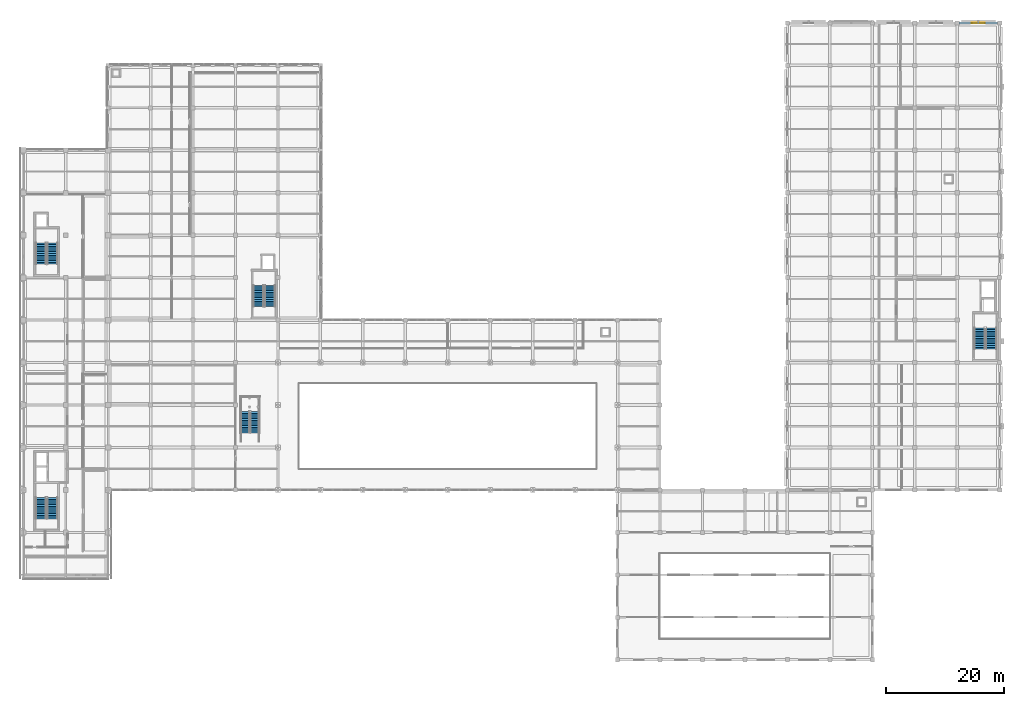
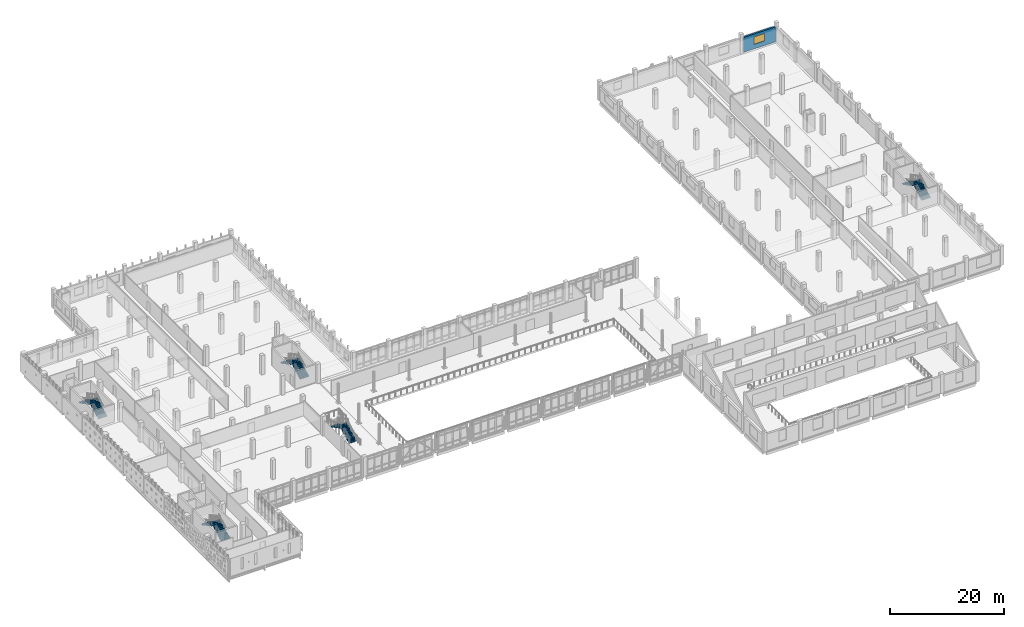
# One storey, part 48 of 62: 10 stair flights, 1 wall, 1 window, 1 opening, 5 elements without a shape of their own.
"""IFC4 building model written with IfcOpenShell, lengths in metres."""

from ifc_helpers import new_model, si_unit, direction, frame, frame_2d, origin, place, context, subcontext, project, spatial, polyline, rectangle, outline, extrude, material, layer, layer_set, type_object, element, fill, aggregate, save


model = new_model("IFC4")

# Units and contexts
model_context = context("Model", 3, precision=1e-05, world=origin(), true_north=direction((0.0, 1.0)))
body_context = subcontext(model_context, "Body", "Model", "MODEL_VIEW")
ifc_project = project(units=[si_unit("LENGTHUNIT", "METRE"), si_unit("AREAUNIT", "SQUARE_METRE"), si_unit("VOLUMEUNIT", "CUBIC_METRE"), si_unit("PLANEANGLEUNIT", "RADIAN"), si_unit("MASSUNIT", "GRAM", prefix="KILO")], contexts=[model_context])

# Site, building, storey
site_placement = place(None, origin())
site = spatial("IfcSite", under=ifc_project, at=site_placement, CompositionType="ELEMENT")
building_placement = place(site_placement, origin())
building = spatial("IfcBuilding", under=site, at=building_placement, Name="Valkovuoma Quantum and Materials Research Institute", CompositionType="ELEMENT")
storey_placement = place(building_placement, frame((0.0, 0.0, 8.9599609375)))
storey = spatial("IfcBuildingStorey", under=building, at=storey_placement, Name="L02", CompositionType="ELEMENT", Elevation=8.9599609375)

# Wall, opening, window
ifc_material_1 = material(Name="Precast concrete C40/50", Category="concrete")
ifc_layer = layer(ifc_material_1, 0.340087890625)
ifc_layer_set = layer_set([ifc_layer], Name="Precast concrete C40/50")
wall_type = type_object("IfcWallType", Name="Wall-W-EXT340", PredefinedType="SOLIDWALL", material=ifc_layer_set)
wall_placement = place(storey_placement, frame((158.739990234375, 115.199951171875, 0.0), z_axis=(0.0, 0.0, 1.0), x_axis=(1.0, 0.0, 0.0)))
wall = element("IfcWall", 1, at=wall_placement, inside=storey, type_object=wall_type, Name="L02 exterior wall 0252", PredefinedType="SOLIDWALL", context=body_context, shape_type="SweptSolid", body=[
    extrude(rectangle(XDim=6.52001953125, YDim=0.340087890625, at=frame_2d((3.260009765625, 0.0))), origin(), (0.0, 0.0, 1.0), 3.2099609375),
])
opening_placement = place(wall_placement, frame((2.159912109375, 0.0, 0.949951171875)))
opening = element("IfcOpeningElement", 2, at=opening_placement, cuts=wall, Name="Opening WN-EX13", PredefinedType="OPENING", context=body_context, shape_type="SweptSolid", body=[
    extrude(rectangle(XDim=2.199951171875, YDim=1.60009765625, at=frame_2d((1.10009765625, 0.800048828125))), frame((0.0, 0.18017578125, 0.0), z_axis=(0.0, -1.0, 0.0), x_axis=(1.0, 0.0, 0.0)), (0.0, 0.0, 1.0), 0.360107421875),
])
ifc_material_2 = material(Name="Triple low-E argon glazing in thermally broken aluminium frame", Category="aluminium")
window_type = type_object("IfcWindowType", Name="Win-WN-EX13", PartitioningType="SINGLE_PANEL", PredefinedType="WINDOW", material=ifc_material_2)
window_placement = place(opening_placement, origin())
window = element("IfcWindow", 3, at=window_placement, inside=storey, type_object=window_type, Name="L02 window 0268", OverallHeight=1.60009765625, OverallWidth=2.199951171875, PartitioningType="SINGLE_PANEL", PredefinedType="WINDOW", context=body_context, shape_type="SweptSolid", body=[
    extrude(rectangle(XDim=2.199951171875, YDim=1.60009765625, at=frame_2d((1.10009765625, 0.800048828125))), frame((0.0, 0.030029296875, 0.0), z_axis=(0.0, -1.0, 0.0), x_axis=(1.0, 0.0, 0.0)), (0.0, 0.0, 1.0), 0.06005859375),
])
fill(opening, window)

# Stair, stair flights
ifc_material_3 = material(Name="Concrete C40/50", Category="concrete")
stair_type_1 = type_object("IfcStairType", Name="Stair-ST-COR", PredefinedType="HALF_TURN_STAIR", material=ifc_material_3)
stair_1_placement = place(storey_placement, origin())
stair_1 = element("IfcStair", 4, at=stair_1_placement, inside=storey, type_object=stair_type_1, Name="L02 Exit Stair ST-1", PredefinedType="HALF_TURN_STAIR")
ifc_material_4 = material(Name="Concrete C40/50", Category="concrete")
stair_flight_type_1 = type_object("IfcStairFlightType", Name="Flight-STF-145", PredefinedType="STRAIGHT", material=ifc_material_4)
stair_flight_1_placement = place(storey_placement, frame((4.949951171875, 31.10009765625, 0.0), z_axis=(0.0, 0.0, 1.0), x_axis=(0.0, 1.0, 0.0)))
stair_flight_1 = element("IfcStairFlight", 5, at=stair_flight_1_placement, type_object=stair_flight_type_1, Name="ST-1 flight 1", NumberOfRisers=13, NumberOfTreads=12, PredefinedType="STRAIGHT", RiserHeight=0.16, TreadLength=0.3, context=body_context, shape_type="SweptSolid", body=[
    extrude(outline(polyline([(0.0, 0.0), (0.0, 0.159912109375), (0.300048828125, 0.159912109375), (0.300048828125, 0.320068359375), (0.60009765625, 0.320068359375), (0.60009765625, 0.47998046875), (0.89990234375, 0.47998046875), (0.89990234375, 0.639892578125), (1.199951171875, 0.639892578125), (1.199951171875, 0.800048828125), (1.5, 0.800048828125), (1.5, 0.9599609375), (1.800048828125, 0.9599609375), (1.800048828125, 1.1201171875), (2.10009765625, 1.1201171875), (2.10009765625, 1.280029296875), (2.39990234375, 1.280029296875), (2.39990234375, 1.43994140625), (2.699951171875, 1.43994140625), (2.699951171875, 1.60009765625), (3.0, 1.60009765625), (3.0, 1.760009765625), (3.300048828125, 1.760009765625), (3.300048828125, 1.919921875), (3.60009765625, 1.919921875), (3.60009765625, 2.080078125), (3.60009765625, 1.75), (0.318603515625, 0.0), (0.0, 0.0)])), frame((0.0, 0.89990234375, 0.0), z_axis=(0.0, -1.0, 0.0), x_axis=(1.0, 0.0, 0.0)), (0.0, 0.0, 1.0), 1.800048828125),
])
stair_flight_2_placement = place(storey_placement, frame((3.0, 34.699951171875, 2.080078125), z_axis=(0.0, 0.0, 1.0), x_axis=(0.0, -1.0, 0.0)))
stair_flight_2 = element("IfcStairFlight", 6, at=stair_flight_2_placement, type_object=stair_flight_type_1, Name="ST-1 flight 2", NumberOfRisers=13, NumberOfTreads=12, PredefinedType="STRAIGHT", RiserHeight=0.16, TreadLength=0.3, context=body_context, shape_type="SweptSolid", body=[
    extrude(outline(polyline([(0.0, 0.0), (0.0, 0.159912109375), (0.300048828125, 0.159912109375), (0.300048828125, 0.320068359375), (0.60009765625, 0.320068359375), (0.60009765625, 0.47998046875), (0.89990234375, 0.47998046875), (0.89990234375, 0.639892578125), (1.199951171875, 0.639892578125), (1.199951171875, 0.800048828125), (1.5, 0.800048828125), (1.5, 0.9599609375), (1.800048828125, 0.9599609375), (1.800048828125, 1.1201171875), (2.10009765625, 1.1201171875), (2.10009765625, 1.280029296875), (2.39990234375, 1.280029296875), (2.39990234375, 1.43994140625), (2.699951171875, 1.43994140625), (2.699951171875, 1.60009765625), (3.0, 1.60009765625), (3.0, 1.760009765625), (3.300048828125, 1.760009765625), (3.300048828125, 1.919921875), (3.60009765625, 1.919921875), (3.60009765625, 2.080078125), (3.60009765625, 1.75), (0.318603515625, 0.0), (0.0, 0.0)])), frame((0.0, 0.89990234375, 0.0), z_axis=(0.0, -1.0, 0.0), x_axis=(1.0, 0.0, 0.0)), (0.0, 0.0, 1.0), 1.800048828125),
])
aggregate(stair_1, [stair_flight_1, stair_flight_2])

stair_2_placement = place(storey_placement, origin())
stair_2 = element("IfcStair", 7, at=stair_2_placement, inside=storey, type_object=stair_type_1, Name="L02 Exit Stair ST-2", PredefinedType="HALF_TURN_STAIR")
stair_flight_3_placement = place(storey_placement, frame((4.949951171875, 74.300048828125, 0.0), z_axis=(0.0, 0.0, 1.0), x_axis=(0.0, 1.0, 0.0)))
stair_flight_3 = element("IfcStairFlight", 8, at=stair_flight_3_placement, type_object=stair_flight_type_1, Name="ST-2 flight 1", NumberOfRisers=13, NumberOfTreads=12, PredefinedType="STRAIGHT", RiserHeight=0.16, TreadLength=0.3, context=body_context, shape_type="SweptSolid", body=[
    extrude(outline(polyline([(0.0, 0.0), (0.0, 0.159912109375), (0.300048828125, 0.159912109375), (0.300048828125, 0.320068359375), (0.60009765625, 0.320068359375), (0.60009765625, 0.47998046875), (0.89990234375, 0.47998046875), (0.89990234375, 0.639892578125), (1.199951171875, 0.639892578125), (1.199951171875, 0.800048828125), (1.5, 0.800048828125), (1.5, 0.9599609375), (1.800048828125, 0.9599609375), (1.800048828125, 1.1201171875), (2.10009765625, 1.1201171875), (2.10009765625, 1.280029296875), (2.39990234375, 1.280029296875), (2.39990234375, 1.43994140625), (2.699951171875, 1.43994140625), (2.699951171875, 1.60009765625), (3.0, 1.60009765625), (3.0, 1.760009765625), (3.300048828125, 1.760009765625), (3.300048828125, 1.919921875), (3.60009765625, 1.919921875), (3.60009765625, 2.080078125), (3.60009765625, 1.75), (0.318603515625, 0.0), (0.0, 0.0)])), frame((0.0, 0.89990234375, 0.0), z_axis=(0.0, -1.0, 0.0), x_axis=(1.0, 0.0, 0.0)), (0.0, 0.0, 1.0), 1.800048828125),
])
stair_flight_4_placement = place(storey_placement, frame((3.0, 77.89990234375, 2.080078125), z_axis=(0.0, 0.0, 1.0), x_axis=(0.0, -1.0, 0.0)))
stair_flight_4 = element("IfcStairFlight", 9, at=stair_flight_4_placement, type_object=stair_flight_type_1, Name="ST-2 flight 2", NumberOfRisers=13, NumberOfTreads=12, PredefinedType="STRAIGHT", RiserHeight=0.16, TreadLength=0.3, context=body_context, shape_type="SweptSolid", body=[
    extrude(outline(polyline([(0.0, 0.0), (0.0, 0.159912109375), (0.300048828125, 0.159912109375), (0.300048828125, 0.320068359375), (0.60009765625, 0.320068359375), (0.60009765625, 0.47998046875), (0.89990234375, 0.47998046875), (0.89990234375, 0.639892578125), (1.199951171875, 0.639892578125), (1.199951171875, 0.800048828125), (1.5, 0.800048828125), (1.5, 0.9599609375), (1.800048828125, 0.9599609375), (1.800048828125, 1.1201171875), (2.10009765625, 1.1201171875), (2.10009765625, 1.280029296875), (2.39990234375, 1.280029296875), (2.39990234375, 1.43994140625), (2.699951171875, 1.43994140625), (2.699951171875, 1.60009765625), (3.0, 1.60009765625), (3.0, 1.760009765625), (3.300048828125, 1.760009765625), (3.300048828125, 1.919921875), (3.60009765625, 1.919921875), (3.60009765625, 2.080078125), (3.60009765625, 1.75), (0.318603515625, 0.0), (0.0, 0.0)])), frame((0.0, 0.89990234375, 0.0), z_axis=(0.0, -1.0, 0.0), x_axis=(1.0, 0.0, 0.0)), (0.0, 0.0, 1.0), 1.800048828125),
])
aggregate(stair_2, [stair_flight_3, stair_flight_4])

stair_3_placement = place(storey_placement, origin())
stair_3 = element("IfcStair", 10, at=stair_3_placement, inside=storey, type_object=stair_type_1, Name="L02 Exit Stair ST-3", PredefinedType="HALF_TURN_STAIR")
stair_flight_5_placement = place(storey_placement, frame((164.14990234375, 59.89990234375, 0.0), z_axis=(0.0, 0.0, 1.0), x_axis=(0.0, 1.0, 0.0)))
stair_flight_5 = element("IfcStairFlight", 11, at=stair_flight_5_placement, type_object=stair_flight_type_1, Name="ST-3 flight 1", NumberOfRisers=13, NumberOfTreads=12, PredefinedType="STRAIGHT", RiserHeight=0.16, TreadLength=0.3, context=body_context, shape_type="SweptSolid", body=[
    extrude(outline(polyline([(0.0, 0.0), (0.0, 0.159912109375), (0.300048828125, 0.159912109375), (0.300048828125, 0.320068359375), (0.60009765625, 0.320068359375), (0.60009765625, 0.47998046875), (0.89990234375, 0.47998046875), (0.89990234375, 0.639892578125), (1.199951171875, 0.639892578125), (1.199951171875, 0.800048828125), (1.5, 0.800048828125), (1.5, 0.9599609375), (1.800048828125, 0.9599609375), (1.800048828125, 1.1201171875), (2.10009765625, 1.1201171875), (2.10009765625, 1.280029296875), (2.39990234375, 1.280029296875), (2.39990234375, 1.43994140625), (2.699951171875, 1.43994140625), (2.699951171875, 1.60009765625), (3.0, 1.60009765625), (3.0, 1.760009765625), (3.300048828125, 1.760009765625), (3.300048828125, 1.919921875), (3.60009765625, 1.919921875), (3.60009765625, 2.080078125), (3.60009765625, 1.75), (0.318603515625, 0.0), (0.0, 0.0)])), frame((0.0, 0.89990234375, 0.0), z_axis=(0.0, -1.0, 0.0), x_axis=(1.0, 0.0, 0.0)), (0.0, 0.0, 1.0), 1.800048828125),
])
stair_flight_6_placement = place(storey_placement, frame((162.199951171875, 63.5, 2.080078125), z_axis=(0.0, 0.0, 1.0), x_axis=(0.0, -1.0, 0.0)))
stair_flight_6 = element("IfcStairFlight", 12, at=stair_flight_6_placement, type_object=stair_flight_type_1, Name="ST-3 flight 2", NumberOfRisers=13, NumberOfTreads=12, PredefinedType="STRAIGHT", RiserHeight=0.16, TreadLength=0.3, context=body_context, shape_type="SweptSolid", body=[
    extrude(outline(polyline([(0.0, 0.0), (0.0, 0.159912109375), (0.300048828125, 0.159912109375), (0.300048828125, 0.320068359375), (0.60009765625, 0.320068359375), (0.60009765625, 0.47998046875), (0.89990234375, 0.47998046875), (0.89990234375, 0.639892578125), (1.199951171875, 0.639892578125), (1.199951171875, 0.800048828125), (1.5, 0.800048828125), (1.5, 0.9599609375), (1.800048828125, 0.9599609375), (1.800048828125, 1.1201171875), (2.10009765625, 1.1201171875), (2.10009765625, 1.280029296875), (2.39990234375, 1.280029296875), (2.39990234375, 1.43994140625), (2.699951171875, 1.43994140625), (2.699951171875, 1.60009765625), (3.0, 1.60009765625), (3.0, 1.760009765625), (3.300048828125, 1.760009765625), (3.300048828125, 1.919921875), (3.60009765625, 1.919921875), (3.60009765625, 2.080078125), (3.60009765625, 1.75), (0.318603515625, 0.0), (0.0, 0.0)])), frame((0.0, 0.89990234375, 0.0), z_axis=(0.0, -1.0, 0.0), x_axis=(1.0, 0.0, 0.0)), (0.0, 0.0, 1.0), 1.800048828125),
])
aggregate(stair_3, [stair_flight_5, stair_flight_6])

stair_4_placement = place(storey_placement, origin())
stair_4 = element("IfcStair", 13, at=stair_4_placement, inside=storey, type_object=stair_type_1, Name="L02 Exit Stair ST-4", PredefinedType="HALF_TURN_STAIR")
stair_flight_7_placement = place(storey_placement, frame((41.85009765625, 67.10009765625, 0.0), z_axis=(0.0, 0.0, 1.0), x_axis=(0.0, 1.0, 0.0)))
stair_flight_7 = element("IfcStairFlight", 14, at=stair_flight_7_placement, type_object=stair_flight_type_1, Name="ST-4 flight 1", NumberOfRisers=13, NumberOfTreads=12, PredefinedType="STRAIGHT", RiserHeight=0.16, TreadLength=0.3, context=body_context, shape_type="SweptSolid", body=[
    extrude(outline(polyline([(0.0, 0.0), (0.0, 0.159912109375), (0.300048828125, 0.159912109375), (0.300048828125, 0.320068359375), (0.60009765625, 0.320068359375), (0.60009765625, 0.47998046875), (0.89990234375, 0.47998046875), (0.89990234375, 0.639892578125), (1.199951171875, 0.639892578125), (1.199951171875, 0.800048828125), (1.5, 0.800048828125), (1.5, 0.9599609375), (1.800048828125, 0.9599609375), (1.800048828125, 1.1201171875), (2.10009765625, 1.1201171875), (2.10009765625, 1.280029296875), (2.39990234375, 1.280029296875), (2.39990234375, 1.43994140625), (2.699951171875, 1.43994140625), (2.699951171875, 1.60009765625), (3.0, 1.60009765625), (3.0, 1.760009765625), (3.300048828125, 1.760009765625), (3.300048828125, 1.919921875), (3.60009765625, 1.919921875), (3.60009765625, 2.080078125), (3.60009765625, 1.75), (0.318603515625, 0.0), (0.0, 0.0)])), frame((0.0, 0.89990234375, 0.0), z_axis=(0.0, -1.0, 0.0), x_axis=(1.0, 0.0, 0.0)), (0.0, 0.0, 1.0), 1.800048828125),
])
stair_flight_8_placement = place(storey_placement, frame((39.89990234375, 70.699951171875, 2.080078125), z_axis=(0.0, 0.0, 1.0), x_axis=(0.0, -1.0, 0.0)))
stair_flight_8 = element("IfcStairFlight", 15, at=stair_flight_8_placement, type_object=stair_flight_type_1, Name="ST-4 flight 2", NumberOfRisers=13, NumberOfTreads=12, PredefinedType="STRAIGHT", RiserHeight=0.16, TreadLength=0.3, context=body_context, shape_type="SweptSolid", body=[
    extrude(outline(polyline([(0.0, 0.0), (0.0, 0.159912109375), (0.300048828125, 0.159912109375), (0.300048828125, 0.320068359375), (0.60009765625, 0.320068359375), (0.60009765625, 0.47998046875), (0.89990234375, 0.47998046875), (0.89990234375, 0.639892578125), (1.199951171875, 0.639892578125), (1.199951171875, 0.800048828125), (1.5, 0.800048828125), (1.5, 0.9599609375), (1.800048828125, 0.9599609375), (1.800048828125, 1.1201171875), (2.10009765625, 1.1201171875), (2.10009765625, 1.280029296875), (2.39990234375, 1.280029296875), (2.39990234375, 1.43994140625), (2.699951171875, 1.43994140625), (2.699951171875, 1.60009765625), (3.0, 1.60009765625), (3.0, 1.760009765625), (3.300048828125, 1.760009765625), (3.300048828125, 1.919921875), (3.60009765625, 1.919921875), (3.60009765625, 2.080078125), (3.60009765625, 1.75), (0.318603515625, 0.0), (0.0, 0.0)])), frame((0.0, 0.89990234375, 0.0), z_axis=(0.0, -1.0, 0.0), x_axis=(1.0, 0.0, 0.0)), (0.0, 0.0, 1.0), 1.800048828125),
])
aggregate(stair_4, [stair_flight_7, stair_flight_8])

ifc_material_5 = material(Name="Concrete C40/50", Category="concrete")
stair_type_2 = type_object("IfcStairType", Name="Stair-ST-ATR", PredefinedType="HALF_TURN_STAIR", material=ifc_material_5)
stair_5_placement = place(storey_placement, origin())
stair_5 = element("IfcStair", 16, at=stair_5_placement, inside=storey, type_object=stair_type_2, Name="L02 Atrium Stair ST-5", PredefinedType="HALF_TURN_STAIR")
ifc_material_6 = material(Name="Concrete C40/50", Category="concrete")
stair_flight_type_2 = type_object("IfcStairFlightType", Name="Flight-STF-150", PredefinedType="STRAIGHT", material=ifc_material_6)
stair_flight_9_placement = place(storey_placement, frame((39.300048828125, 45.699951171875, 0.0), z_axis=(0.0, 0.0, 1.0), x_axis=(0.0, 1.0, 0.0)))
stair_flight_9 = element("IfcStairFlight", 17, at=stair_flight_9_placement, type_object=stair_flight_type_2, Name="ST-5 flight 1", NumberOfRisers=13, NumberOfTreads=12, PredefinedType="STRAIGHT", RiserHeight=0.16, TreadLength=0.3, context=body_context, shape_type="SweptSolid", body=[
    extrude(outline(polyline([(0.0, 0.0), (0.0, 0.159912109375), (0.300048828125, 0.159912109375), (0.300048828125, 0.320068359375), (0.60009765625, 0.320068359375), (0.60009765625, 0.47998046875), (0.89990234375, 0.47998046875), (0.89990234375, 0.639892578125), (1.199951171875, 0.639892578125), (1.199951171875, 0.800048828125), (1.5, 0.800048828125), (1.5, 0.9599609375), (1.800048828125, 0.9599609375), (1.800048828125, 1.1201171875), (2.10009765625, 1.1201171875), (2.10009765625, 1.280029296875), (2.39990234375, 1.280029296875), (2.39990234375, 1.43994140625), (2.699951171875, 1.43994140625), (2.699951171875, 1.60009765625), (3.0, 1.60009765625), (3.0, 1.760009765625), (3.300048828125, 1.760009765625), (3.300048828125, 1.919921875), (3.60009765625, 1.919921875), (3.60009765625, 2.080078125), (3.60009765625, 1.75), (0.318603515625, 0.0), (0.0, 0.0)])), frame((0.0, 0.75, 0.0), z_axis=(0.0, -1.0, 0.0), x_axis=(1.0, 0.0, 0.0)), (0.0, 0.0, 1.0), 1.5),
])
stair_flight_10_placement = place(storey_placement, frame((37.64990234375, 49.300048828125, 2.080078125), z_axis=(0.0, 0.0, 1.0), x_axis=(0.0, -1.0, 0.0)))
stair_flight_10 = element("IfcStairFlight", 18, at=stair_flight_10_placement, type_object=stair_flight_type_2, Name="ST-5 flight 2", NumberOfRisers=13, NumberOfTreads=12, PredefinedType="STRAIGHT", RiserHeight=0.16, TreadLength=0.3, context=body_context, shape_type="SweptSolid", body=[
    extrude(outline(polyline([(0.0, 0.0), (0.0, 0.159912109375), (0.300048828125, 0.159912109375), (0.300048828125, 0.320068359375), (0.60009765625, 0.320068359375), (0.60009765625, 0.47998046875), (0.89990234375, 0.47998046875), (0.89990234375, 0.639892578125), (1.199951171875, 0.639892578125), (1.199951171875, 0.800048828125), (1.5, 0.800048828125), (1.5, 0.9599609375), (1.800048828125, 0.9599609375), (1.800048828125, 1.1201171875), (2.10009765625, 1.1201171875), (2.10009765625, 1.280029296875), (2.39990234375, 1.280029296875), (2.39990234375, 1.43994140625), (2.699951171875, 1.43994140625), (2.699951171875, 1.60009765625), (3.0, 1.60009765625), (3.0, 1.760009765625), (3.300048828125, 1.760009765625), (3.300048828125, 1.919921875), (3.60009765625, 1.919921875), (3.60009765625, 2.080078125), (3.60009765625, 1.75), (0.318603515625, 0.0), (0.0, 0.0)])), frame((0.0, 0.75, 0.0), z_axis=(0.0, -1.0, 0.0), x_axis=(1.0, 0.0, 0.0)), (0.0, 0.0, 1.0), 1.5),
])
aggregate(stair_5, [stair_flight_9, stair_flight_10])

save(model, "model.ifc")
